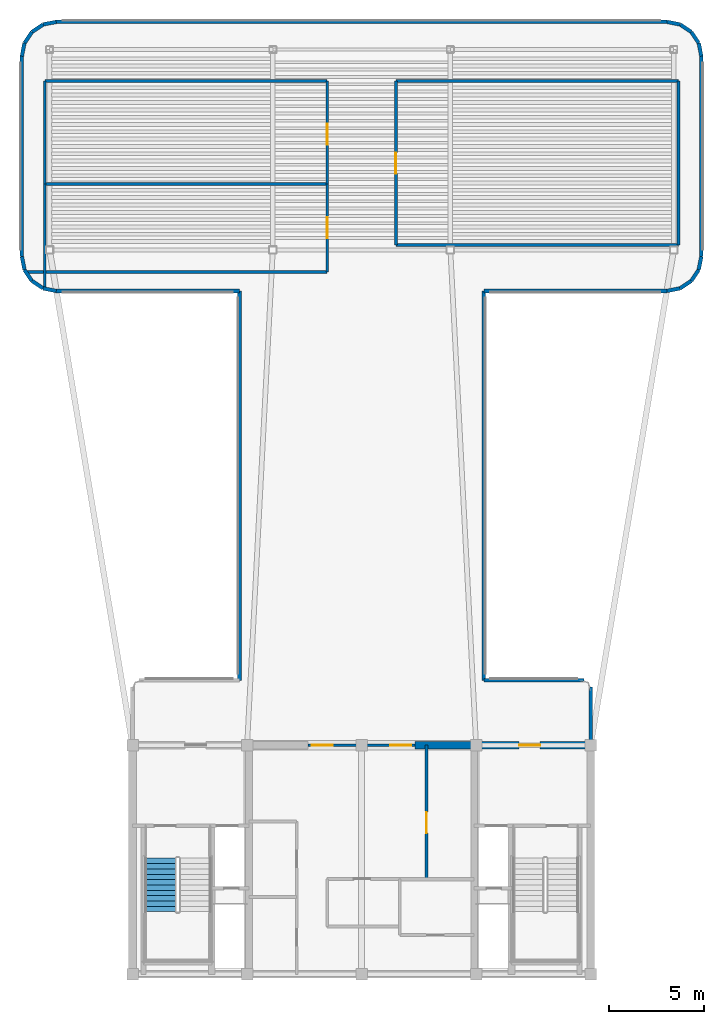
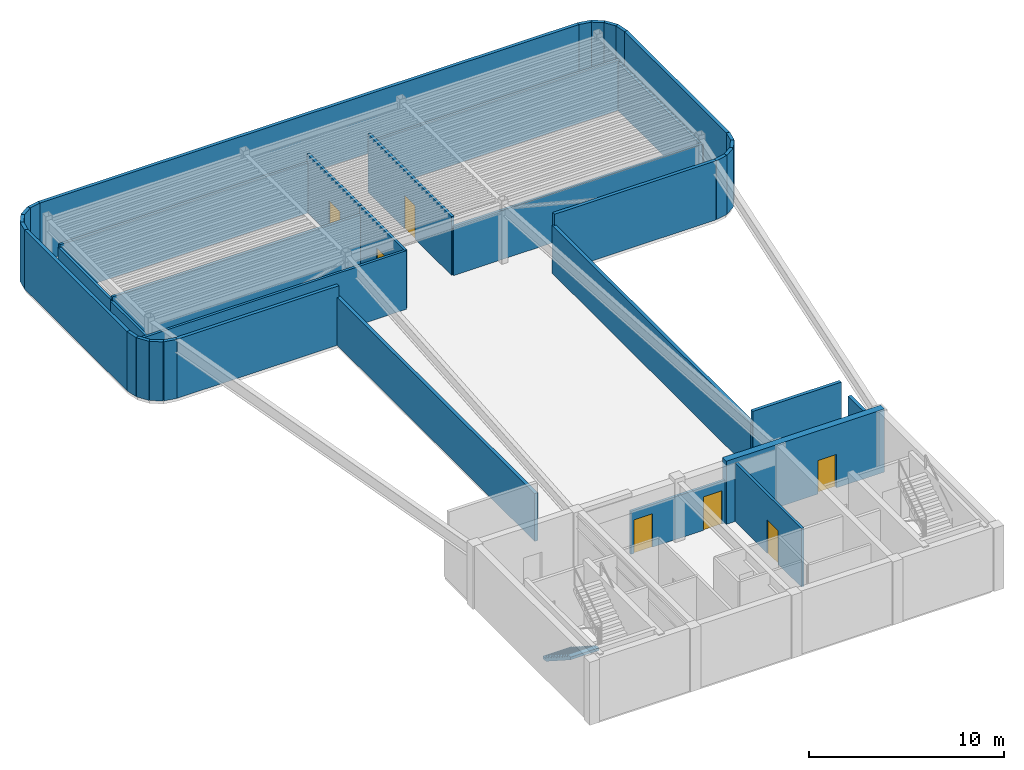
# One storey, part 3 of 6: 39 walls, 7 doors, 1 stair flight, 7 openings, 1 element without a shape of its own.
"""IFC4 building model written with IfcOpenShell, lengths in metres."""

from ifc_helpers import new_model, si_unit, direction, frame, frame_2d, origin, origin_2d, place, context, subcontext, project, spatial, polyline, rectangle, outline, extrude, source, transform, mapped, material, layer, layer_set, type_object, element, fill, aggregate, save


model = new_model("IFC4")

# Units and contexts
model_context = context("Model", 3, precision=1e-05, world=origin(), true_north=direction((0.0, 1.0)))
body_context = subcontext(model_context, "Body", "Model", "MODEL_VIEW")
ifc_project = project(units=[si_unit("LENGTHUNIT", "METRE"), si_unit("AREAUNIT", "SQUARE_METRE"), si_unit("VOLUMEUNIT", "CUBIC_METRE"), si_unit("PLANEANGLEUNIT", "RADIAN"), si_unit("MASSUNIT", "GRAM", prefix="KILO")], contexts=[model_context])

# Site, building, storey
site_placement = place(None, origin())
site = spatial("IfcSite", under=ifc_project, at=site_placement, CompositionType="ELEMENT")
building_placement = place(site_placement, origin())
building = spatial("IfcBuilding", under=site, at=building_placement, Name="Brelvock Crest Care Tower", CompositionType="ELEMENT")
storey_placement = place(building_placement, frame((0.0, 0.0, 311.760009765625)))
storey = spatial("IfcBuildingStorey", under=building, at=storey_placement, Name="L79", CompositionType="ELEMENT", Elevation=311.760009765625)

# Wall, opening, door
ifc_material_1 = material(Name="Concrete S65 (65 MPa)", Category="concrete")
ifc_layer_1 = layer(ifc_material_1, 0.39990234375, Name="WL-CS4")
ifc_layer_set_1 = layer_set([ifc_layer_1], Name="Concrete S65 (65 MPa)")
wall_type_1 = type_object("IfcWallType", Name="WL-CS4", PredefinedType="SHEAR", material=ifc_layer_set_1)
wall_1_placement = place(storey_placement, frame((38.800048828125, 18.0, 0.0), z_axis=(0.0, 0.0, 1.0), x_axis=(1.0, 0.0, 0.0)))
wall_1 = element("IfcWall", 1, at=wall_1_placement, inside=storey, type_object=wall_type_1, Name="L79 Core North-East Shear Wall", PredefinedType="SHEAR", context=body_context, shape_type="SweptSolid", body=[
    extrude(rectangle(XDim=9.39990234375, YDim=0.39990234375, at=frame_2d((4.699951171875, 0.0))), origin(), (0.0, 0.0, 1.0), 3.9599609375),
])
opening_1_placement = place(wall_1_placement, frame((5.449951171875, 0.0, 0.0)))
opening_1 = element("IfcOpeningElement", 2, at=opening_1_placement, cuts=wall_1, Name="Opening FD-1", PredefinedType="OPENING", context=body_context, shape_type="SweptSolid", body=[
    extrude(rectangle(XDim=1.10009765625, YDim=2.10009765625, at=origin_2d()), frame((0.550048828125, 0.2099609375, 1.050048828125), z_axis=(0.0, -1.0, 0.0), x_axis=(1.0, 0.0, 0.0)), (0.0, 0.0, 1.0), 0.419921875),
])
ifc_material_2 = material(Name="Steel Grade 350", Category="steel")
door_type_1 = type_object("IfcDoorType", Name="DR-FFL1", OperationType="NOTDEFINED", PredefinedType="DOOR", material=ifc_material_2)
shared_shape_1 = source(origin(), body_context, "Body", "SweptSolid", [
    extrude(rectangle(XDim=1.10009765625, YDim=2.10009765625, at=origin_2d()), frame((0.550048828125, 0.02490234375, 1.050048828125), z_axis=(0.0, -1.0, 0.0), x_axis=(1.0, 0.0, 0.0)), (0.0, 0.0, 1.0), 0.050048828125),
])
door_1_placement = place(opening_1_placement, origin())
door_1 = element("IfcDoor", 3, at=door_1_placement, inside=storey, type_object=door_type_1, Name="L79 Firefighting Lobby FFL-2 Exit Door", OperationType="SINGLE_SWING_RIGHT", OverallHeight=2.10009765625, OverallWidth=1.10009765625, PredefinedType="DOOR", context=body_context, shape_type="MappedRepresentation", body=[
    mapped(shared_shape_1, transform((0.0, 0.0, 0.0), x_axis=(1.0, 0.0, 0.0), y_axis=(0.0, 1.0, 0.0), z_axis=(0.0, 0.0, 1.0), scale=1.0)),
])
fill(opening_1, door_1)

# Walls
ifc_material_3 = material(Name="Precast concrete N40 (40 MPa)", Category="concrete")
ifc_layer_2 = layer(ifc_material_3, 0.195068359375, Name="WL-EX3")
ifc_layer_set_2 = layer_set([ifc_layer_2], Name="Precast concrete N40 (40 MPa)")
wall_type_2 = type_object("IfcWallType", Name="WL-EX3", PredefinedType="SOLIDWALL", material=ifc_layer_set_2)
wall_2_placement = place(storey_placement, frame((48.0, 21.050048828125, 0.0), z_axis=(0.0, 0.0, 1.0), x_axis=(0.0, -1.0, 0.0)))
element("IfcWall", 4, at=wall_2_placement, inside=storey, type_object=wall_type_2, Name="L79 Crown and Plant Cladding Wall 02", PredefinedType="SOLIDWALL", context=body_context, shape_type="SweptSolid", body=[
    extrude(rectangle(XDim=2.77001953125, YDim=0.195068359375, at=frame_2d((1.385009765625, 0.0))), origin(), (0.0, 0.0, 1.0), 2.89794921875),
])
wall_3_placement = place(storey_placement, frame((29.60009765625, 21.39990234375, 0.0), z_axis=(0.0, 0.0, 1.0), x_axis=(0.0, 1.0, 0.0)))
element("IfcWall", 5, at=wall_3_placement, inside=storey, type_object=wall_type_2, Name="L79 Crown and Plant Cladding Wall 12", PredefinedType="SOLIDWALL", context=body_context, shape_type="SweptSolid", body=[
    extrude(rectangle(XDim=20.400146484375, YDim=0.195068359375, at=frame_2d((10.2001953125, 0.0))), origin(), (0.0, 0.0, 1.0), 2.998046875),
])
wall_4_placement = place(storey_placement, frame((29.60009765625, 41.800048828125, 0.0), z_axis=(0.0, 0.0, 1.0), x_axis=(-1.0, 0.0, 0.0)))
element("IfcWall", 6, at=wall_4_placement, inside=storey, type_object=wall_type_2, Name="L79 Crown and Plant Cladding Wall 13", PredefinedType="SOLIDWALL", context=body_context, shape_type="SweptSolid", body=[
    extrude(rectangle(XDim=9.60009765625, YDim=0.195068359375, at=frame_2d((4.800048828125, 0.0))), origin(), (0.0, 0.0, 1.0), 3.7099609375),
])
wall_5_placement = place(storey_placement, frame((20.0, 41.800048828125, 0.0), z_axis=(0.0, 0.0, 1.0), x_axis=(-0.980794046625, 0.195046246068, 0.0)))
element("IfcWall", 7, at=wall_5_placement, inside=storey, type_object=wall_type_2, Name="L79 Crown and Plant Cladding Wall 14", PredefinedType="SOLIDWALL", context=body_context, shape_type="SweptSolid", body=[
    extrude(rectangle(XDim=0.7021484375, YDim=0.195068359375, at=frame_2d((0.35107421875, 0.0))), origin(), (0.0, 0.0, 1.0), 3.7099609375),
])
for number, where, z_axis, x_axis, name in (
    (8, (19.311279296875, 41.93701171875, 0.0), (0.0, 0.0, 1.0), (-0.831515102434, 0.555502146192, 0.0), "L79 Crown and Plant Cladding Wall 15"),
    (9, (18.727294921875, 42.3271484375, 0.0), (0.0, 0.0, 1.0), (-0.555742429414, 0.831354528555, 0.0), "L79 Crown and Plant Cladding Wall 16"),
    (10, (18.3369140625, 42.9111328125, 0.0), (0.0, 0.0, 1.0), (-0.194979757801, 0.980807266515, 0.0), "L79 Crown and Plant Cladding Wall 17"),
):
    element("IfcWall", number, at=place(storey_placement, frame(where, z_axis=z_axis, x_axis=x_axis)), inside=storey, type_object=wall_type_2, Name=name, PredefinedType="SOLIDWALL", context=body_context, shape_type="SweptSolid", body=[
        extrude(rectangle(XDim=0.702392578125, YDim=0.195068359375, at=frame_2d((0.35107421875, 0.0))), origin(), (0.0, 0.0, 1.0), 3.7099609375),
    ])
wall_6_placement = place(storey_placement, frame((18.199951171875, 43.60009765625, 0.0), z_axis=(0.0, 0.0, 1.0), x_axis=(0.0, 1.0, 0.0)))
element("IfcWall", 11, at=wall_6_placement, inside=storey, type_object=wall_type_2, Name="L79 Crown and Plant Cladding Wall 18", PredefinedType="SOLIDWALL", context=body_context, shape_type="SweptSolid", body=[
    extrude(rectangle(XDim=10.5, YDim=0.195068359375, at=frame_2d((5.25, 0.0))), origin(), (0.0, 0.0, 1.0), 3.7099609375),
])
wall_7_placement = place(storey_placement, frame((18.199951171875, 54.10009765625, 0.0), z_axis=(0.0, 0.0, 1.0), x_axis=(0.195046246068, 0.980794046625, 0.0)))
element("IfcWall", 12, at=wall_7_placement, inside=storey, type_object=wall_type_2, Name="L79 Crown and Plant Cladding Wall 19", PredefinedType="SOLIDWALL", context=body_context, shape_type="SweptSolid", body=[
    extrude(rectangle(XDim=0.7021484375, YDim=0.195068359375, at=frame_2d((0.35107421875, 0.0))), origin(), (0.0, 0.0, 1.0), 3.7099609375),
])
for number, where, z_axis, x_axis, name in (
    (13, (18.3369140625, 54.788818359375, 0.0), (0.0, 0.0, 1.0), (0.555742429414, 0.831354528555, 0.0), "L79 Crown and Plant Cladding Wall 20"),
    (14, (18.727294921875, 55.372802734375, 0.0), (0.0, 0.0, 1.0), (0.831515102434, 0.555502146192, 0.0), "L79 Crown and Plant Cladding Wall 21"),
):
    element("IfcWall", number, at=place(storey_placement, frame(where, z_axis=z_axis, x_axis=x_axis)), inside=storey, type_object=wall_type_2, Name=name, PredefinedType="SOLIDWALL", context=body_context, shape_type="SweptSolid", body=[
        extrude(rectangle(XDim=0.702392578125, YDim=0.195068359375, at=frame_2d((0.35107421875, 0.0))), origin(), (0.0, 0.0, 1.0), 3.7099609375),
    ])
wall_8_placement = place(storey_placement, frame((19.311279296875, 55.762939453125, 0.0), z_axis=(0.0, 0.0, 1.0), x_axis=(0.980794046625, 0.195046246068, 0.0)))
element("IfcWall", 15, at=wall_8_placement, inside=storey, type_object=wall_type_2, Name="L79 Crown and Plant Cladding Wall 22", PredefinedType="SOLIDWALL", context=body_context, shape_type="SweptSolid", body=[
    extrude(rectangle(XDim=0.7021484375, YDim=0.195068359375, at=frame_2d((0.35107421875, 0.0))), origin(), (0.0, 0.0, 1.0), 3.7099609375),
])
wall_9_placement = place(storey_placement, frame((20.0, 55.89990234375, 0.0), z_axis=(0.0, 0.0, 1.0), x_axis=(1.0, 0.0, 0.0)))
element("IfcWall", 16, at=wall_9_placement, inside=storey, type_object=wall_type_2, Name="L79 Crown and Plant Cladding Wall 23", PredefinedType="SOLIDWALL", context=body_context, shape_type="SweptSolid", body=[
    extrude(rectangle(XDim=32.0, YDim=0.195068359375, at=frame_2d((16.0, 0.0))), origin(), (0.0, 0.0, 1.0), 3.7099609375),
])
wall_10_placement = place(storey_placement, frame((52.0, 55.89990234375, 0.0), z_axis=(0.0, 0.0, 1.0), x_axis=(0.980794046625, -0.195046246068, 0.0)))
element("IfcWall", 17, at=wall_10_placement, inside=storey, type_object=wall_type_2, Name="L79 Crown and Plant Cladding Wall 24", PredefinedType="SOLIDWALL", context=body_context, shape_type="SweptSolid", body=[
    extrude(rectangle(XDim=0.7021484375, YDim=0.195068359375, at=frame_2d((0.35107421875, 0.0))), origin(), (0.0, 0.0, 1.0), 3.7099609375),
])
for number, where, z_axis, x_axis, name in (
    (18, (52.688720703125, 55.762939453125, 0.0), (0.0, 0.0, 1.0), (0.831515102434, -0.555502146192, 0.0), "L79 Crown and Plant Cladding Wall 25"),
    (19, (53.272705078125, 55.372802734375, 0.0), (0.0, 0.0, 1.0), (0.555742429414, -0.831354528555, 0.0), "L79 Crown and Plant Cladding Wall 26"),
):
    element("IfcWall", number, at=place(storey_placement, frame(where, z_axis=z_axis, x_axis=x_axis)), inside=storey, type_object=wall_type_2, Name=name, PredefinedType="SOLIDWALL", context=body_context, shape_type="SweptSolid", body=[
        extrude(rectangle(XDim=0.702392578125, YDim=0.195068359375, at=frame_2d((0.35107421875, 0.0))), origin(), (0.0, 0.0, 1.0), 3.7099609375),
    ])
wall_11_placement = place(storey_placement, frame((53.6630859375, 54.788818359375, 0.0), z_axis=(0.0, 0.0, 1.0), x_axis=(0.195046246068, -0.980794046625, 0.0)))
element("IfcWall", 20, at=wall_11_placement, inside=storey, type_object=wall_type_2, Name="L79 Crown and Plant Cladding Wall 27", PredefinedType="SOLIDWALL", context=body_context, shape_type="SweptSolid", body=[
    extrude(rectangle(XDim=0.7021484375, YDim=0.195068359375, at=frame_2d((0.35107421875, 0.0))), origin(), (0.0, 0.0, 1.0), 3.7099609375),
])
wall_12_placement = place(storey_placement, frame((53.800048828125, 54.10009765625, 0.0), z_axis=(0.0, 0.0, 1.0), x_axis=(0.0, -1.0, 0.0)))
element("IfcWall", 21, at=wall_12_placement, inside=storey, type_object=wall_type_2, Name="L79 Crown and Plant Cladding Wall 28", PredefinedType="SOLIDWALL", context=body_context, shape_type="SweptSolid", body=[
    extrude(rectangle(XDim=10.5, YDim=0.195068359375, at=frame_2d((5.25, 0.0))), origin(), (0.0, 0.0, 1.0), 3.7099609375),
])
for number, where, z_axis, x_axis, name in (
    (22, (53.800048828125, 43.60009765625, 0.0), (0.0, 0.0, 1.0), (-0.194979757801, -0.980807266515, 0.0), "L79 Crown and Plant Cladding Wall 29"),
    (23, (53.6630859375, 42.9111328125, 0.0), (0.0, 0.0, 1.0), (-0.555742429414, -0.831354528555, 0.0), "L79 Crown and Plant Cladding Wall 30"),
    (24, (53.272705078125, 42.3271484375, 0.0), (0.0, 0.0, 1.0), (-0.831515102434, -0.555502146192, 0.0), "L79 Crown and Plant Cladding Wall 31"),
):
    element("IfcWall", number, at=place(storey_placement, frame(where, z_axis=z_axis, x_axis=x_axis)), inside=storey, type_object=wall_type_2, Name=name, PredefinedType="SOLIDWALL", context=body_context, shape_type="SweptSolid", body=[
        extrude(rectangle(XDim=0.702392578125, YDim=0.195068359375, at=frame_2d((0.35107421875, 0.0))), origin(), (0.0, 0.0, 1.0), 3.7099609375),
    ])
wall_13_placement = place(storey_placement, frame((52.688720703125, 41.93701171875, 0.0), z_axis=(0.0, 0.0, 1.0), x_axis=(-0.980794046625, -0.195046246068, 0.0)))
element("IfcWall", 25, at=wall_13_placement, inside=storey, type_object=wall_type_2, Name="L79 Crown and Plant Cladding Wall 32", PredefinedType="SOLIDWALL", context=body_context, shape_type="SweptSolid", body=[
    extrude(rectangle(XDim=0.7021484375, YDim=0.195068359375, at=frame_2d((0.35107421875, 0.0))), origin(), (0.0, 0.0, 1.0), 3.7099609375),
])
wall_14_placement = place(storey_placement, frame((52.0, 41.800048828125, 0.0), z_axis=(0.0, 0.0, 1.0), x_axis=(-1.0, 0.0, 0.0)))
element("IfcWall", 26, at=wall_14_placement, inside=storey, type_object=wall_type_2, Name="L79 Crown and Plant Cladding Wall 33", PredefinedType="SOLIDWALL", context=body_context, shape_type="SweptSolid", body=[
    extrude(rectangle(XDim=9.60009765625, YDim=0.195068359375, at=frame_2d((4.800048828125, 0.0))), origin(), (0.0, 0.0, 1.0), 3.7099609375),
])
wall_15_placement = place(storey_placement, frame((42.39990234375, 41.800048828125, 0.0), z_axis=(0.0, 0.0, 1.0), x_axis=(0.0, -1.0, 0.0)))
element("IfcWall", 27, at=wall_15_placement, inside=storey, type_object=wall_type_2, Name="L79 Crown and Plant Cladding Wall 34", PredefinedType="SOLIDWALL", context=body_context, shape_type="SweptSolid", body=[
    extrude(rectangle(XDim=20.400146484375, YDim=0.195068359375, at=frame_2d((10.2001953125, 0.0))), origin(), (0.0, 0.0, 1.0), 2.998046875),
])
wall_16_placement = place(storey_placement, frame((42.39990234375, 21.39990234375, 0.0), z_axis=(0.0, 0.0, 1.0), x_axis=(1.0, 0.0, 0.0)))
element("IfcWall", 28, at=wall_16_placement, inside=storey, type_object=wall_type_2, Name="L79 Crown and Plant Cladding Wall 35", PredefinedType="SOLIDWALL", context=body_context, shape_type="SweptSolid", body=[
    extrude(rectangle(XDim=5.25, YDim=0.195068359375, at=frame_2d((2.625, 0.0))), origin(), (0.0, 0.0, 1.0), 3.7099609375),
])

# Wall, opening, door
ifc_material_4 = material(Name="Masonry Blockwork Acoustic Partition", Category="masonry")
ifc_layer_3 = layer(ifc_material_4, 0.14990234375, Name="WL-INT1")
ifc_layer_set_3 = layer_set([ifc_layer_3], Name="Masonry Blockwork Acoustic Partition")
wall_type_3 = type_object("IfcWallType", Name="WL-INT1", PredefinedType="PARTITIONING", material=ifc_layer_set_3)
wall_17_placement = place(storey_placement, frame((39.39990234375, 11.0, 0.0), z_axis=(0.0, 0.0, 1.0), x_axis=(0.0, 1.0, 0.0)))
wall_17 = element("IfcWall", 29, at=wall_17_placement, inside=storey, type_object=wall_type_3, Name="L79 Interior Wall WL-CRCH-W-L79", PredefinedType="PARTITIONING", context=body_context, shape_type="SweptSolid", body=[
    extrude(rectangle(XDim=7.0, YDim=0.14990234375, at=frame_2d((3.5, 0.0))), origin(), (0.0, 0.0, 1.0), 3.679931640625),
])
opening_2_placement = place(wall_17_placement, frame((2.39990234375, 0.0, 0.0)))
opening_2 = element("IfcOpeningElement", 30, at=opening_2_placement, cuts=wall_17, Name="Opening PD-1", PredefinedType="OPENING", context=body_context, shape_type="SweptSolid", body=[
    extrude(rectangle(XDim=1.10009765625, YDim=2.10009765625, at=origin_2d()), frame((0.550048828125, 0.0849609375, 1.050048828125), z_axis=(0.0, -1.0, 0.0), x_axis=(1.0, 0.0, 0.0)), (0.0, 0.0, 1.0), 0.169921875),
])
door_type_2 = type_object("IfcDoorType", Name="DR-PLT1", OperationType="NOTDEFINED", PredefinedType="DOOR", material=ifc_material_2)
shared_shape_2 = source(origin(), body_context, "Body", "SweptSolid", [
    extrude(rectangle(XDim=1.10009765625, YDim=2.10009765625, at=origin_2d()), frame((0.550048828125, 0.02490234375, 1.050048828125), z_axis=(0.0, -1.0, 0.0), x_axis=(1.0, 0.0, 0.0)), (0.0, 0.0, 1.0), 0.050048828125),
])
door_2_placement = place(opening_2_placement, origin())
door_2 = element("IfcDoor", 31, at=door_2_placement, inside=storey, type_object=door_type_2, Name="DR-CRCH-L79", OperationType="SINGLE_SWING_RIGHT", OverallHeight=2.10009765625, OverallWidth=1.10009765625, PredefinedType="DOOR", context=body_context, shape_type="MappedRepresentation", body=[
    mapped(shared_shape_2, transform((0.0, 0.0, 0.0), x_axis=(1.0, 0.0, 0.0), y_axis=(0.0, 1.0, 0.0), z_axis=(0.0, 0.0, 1.0), scale=1.0)),
])
fill(opening_2, door_2)

# Wall, openings, doors
wall_18_placement = place(storey_placement, frame((33.199951171875, 18.0, 0.0), z_axis=(0.0, 0.0, 1.0), x_axis=(1.0, 0.0, 0.0)))
wall_18 = element("IfcWall", 32, at=wall_18_placement, inside=storey, type_object=wall_type_3, Name="L79 Interior Wall WL-CORE-NPORT-L79", PredefinedType="PARTITIONING", context=body_context, shape_type="SweptSolid", body=[
    extrude(rectangle(XDim=5.60009765625, YDim=0.14990234375, at=frame_2d((2.800048828125, 0.0))), origin(), (0.0, 0.0, 1.0), 2.695068359375),
])
opening_3_placement = place(wall_18_placement, frame((0.18994140625, 0.0, 0.0)))
opening_3 = element("IfcOpeningElement", 33, at=opening_3_placement, cuts=wall_18, Name="Opening FD-1", PredefinedType="OPENING", context=body_context, shape_type="SweptSolid", body=[
    extrude(rectangle(XDim=1.10009765625, YDim=2.10009765625, at=origin_2d()), frame((0.550048828125, 0.0849609375, 1.050048828125), z_axis=(0.0, -1.0, 0.0), x_axis=(1.0, 0.0, 0.0)), (0.0, 0.0, 1.0), 0.169921875),
])
opening_4_placement = place(wall_18_placement, frame((4.31005859375, 0.0, 0.0)))
opening_4 = element("IfcOpeningElement", 34, at=opening_4_placement, cuts=wall_18, Name="Opening FD-1", PredefinedType="OPENING", context=body_context, shape_type="SweptSolid", body=[
    extrude(rectangle(XDim=1.10009765625, YDim=2.10009765625, at=origin_2d()), frame((0.550048828125, 0.0849609375, 1.050048828125), z_axis=(0.0, -1.0, 0.0), x_axis=(1.0, 0.0, 0.0)), (0.0, 0.0, 1.0), 0.169921875),
])
door_3_placement = place(opening_3_placement, origin())
door_3 = element("IfcDoor", 35, at=door_3_placement, inside=storey, type_object=door_type_1, Name="L79 Lift Lobby North Smoke Door West", OperationType="SINGLE_SWING_LEFT", OverallHeight=2.10009765625, OverallWidth=1.10009765625, PredefinedType="DOOR", context=body_context, shape_type="MappedRepresentation", body=[
    mapped(shared_shape_1, transform((0.0, 0.0, 0.0), x_axis=(1.0, 0.0, 0.0), y_axis=(0.0, 1.0, 0.0), z_axis=(0.0, 0.0, 1.0), scale=1.0)),
])
fill(opening_3, door_3)
door_4_placement = place(opening_4_placement, origin())
door_4 = element("IfcDoor", 36, at=door_4_placement, inside=storey, type_object=door_type_1, Name="L79 Lift Lobby North Smoke Door East", OperationType="SINGLE_SWING_RIGHT", OverallHeight=2.10009765625, OverallWidth=1.10009765625, PredefinedType="DOOR", context=body_context, shape_type="MappedRepresentation", body=[
    mapped(shared_shape_1, transform((0.0, 0.0, 0.0), x_axis=(1.0, 0.0, 0.0), y_axis=(0.0, 1.0, 0.0), z_axis=(0.0, 0.0, 1.0), scale=1.0)),
])
fill(opening_4, door_4)

# Walls
wall_19_placement = place(storey_placement, frame((18.507568359375, 42.800048828125, 0.0), z_axis=(0.0, 0.0, 1.0), x_axis=(1.0, 0.0, 0.0)))
element("IfcWall", 37, at=wall_19_placement, inside=storey, type_object=wall_type_3, Name="L79 Interior Wall WL-BX-L79-CRMS-S", PredefinedType="PARTITIONING", context=body_context, shape_type="SweptSolid", body=[
    extrude(rectangle(XDim=15.6923828125, YDim=0.14990234375, at=frame_2d((7.84619140625, 0.0))), origin(), (0.0, 0.0, 1.0), 3.679931640625),
])
wall_20_placement = place(storey_placement, frame((37.800048828125, 44.199951171875, 0.0), z_axis=(0.0, 0.0, 1.0), x_axis=(1.0, 0.0, 0.0)))
element("IfcWall", 38, at=wall_20_placement, inside=storey, type_object=wall_type_3, Name="L79 Interior Wall WL-BX-L79-CRME-S", PredefinedType="PARTITIONING", context=body_context, shape_type="SweptSolid", body=[
    extrude(rectangle(XDim=14.800048828125, YDim=0.14990234375, at=frame_2d((7.39990234375, 0.0))), origin(), (0.0, 0.0, 1.0), 3.0830078125),
])
for number, where, z_axis, x_axis, name in (
    (39, (19.39990234375, 47.39990234375, 0.0), (0.0, 0.0, 1.0), (1.0, 0.0, 0.0), "L79 Interior Wall WL-BX-L79-CRMS-N"),
    (40, (19.39990234375, 52.800048828125, 0.0), (0.0, 0.0, 1.0), (1.0, 0.0, 0.0), "L79 Interior Wall WL-BX-L79-CRMW-N"),
    (41, (37.800048828125, 52.800048828125, 0.0), (0.0, 0.0, 1.0), (1.0, 0.0, 0.0), "L79 Interior Wall WL-BX-L79-CRME-N"),
):
    element("IfcWall", number, at=place(storey_placement, frame(where, z_axis=z_axis, x_axis=x_axis)), inside=storey, type_object=wall_type_3, Name=name, PredefinedType="PARTITIONING", context=body_context, shape_type="SweptSolid", body=[
        extrude(rectangle(XDim=14.800048828125, YDim=0.14990234375, at=frame_2d((7.39990234375, 0.0))), origin(), (0.0, 0.0, 1.0), 3.162109375),
    ])
wall_21_placement = place(storey_placement, frame((19.39990234375, 42.0009765625, 0.0), z_axis=(0.0, 0.0, 1.0), x_axis=(0.0, 1.0, 0.0)))
element("IfcWall", 42, at=wall_21_placement, inside=storey, type_object=wall_type_3, Name="L79 Interior Wall WL-BX-L79-CRMS-W", PredefinedType="PARTITIONING", context=body_context, shape_type="SweptSolid", body=[
    extrude(rectangle(XDim=5.39892578125, YDim=0.14990234375, at=frame_2d((2.699462890625, 0.0))), origin(), (0.0, 0.0, 1.0), 2.89501953125),
])
wall_22_placement = place(storey_placement, frame((19.39990234375, 47.39990234375, 0.0), z_axis=(0.0, 0.0, 1.0), x_axis=(0.0, 1.0, 0.0)))
element("IfcWall", 43, at=wall_22_placement, inside=storey, type_object=wall_type_3, Name="L79 Interior Wall WL-BX-L79-CRMW-W", PredefinedType="PARTITIONING", context=body_context, shape_type="SweptSolid", body=[
    extrude(rectangle(XDim=5.400146484375, YDim=0.14990234375, at=frame_2d((2.7001953125, 0.0))), origin(), (0.0, 0.0, 1.0), 2.994873046875),
])

# Wall, opening, door
wall_23_placement = place(storey_placement, frame((34.199951171875, 42.800048828125, 0.0), z_axis=(0.0, 0.0, 1.0), x_axis=(0.0, 1.0, 0.0)))
wall_23 = element("IfcWall", 44, at=wall_23_placement, inside=storey, type_object=wall_type_3, Name="L79 Interior Wall WL-RM-L79-CRMS", PredefinedType="PARTITIONING", context=body_context, shape_type="SweptSolid", body=[
    extrude(rectangle(XDim=4.599853515625, YDim=0.14990234375, at=frame_2d((2.2998046875, 0.0))), origin(), (0.0, 0.0, 1.0), 3.679931640625),
])
opening_5_placement = place(wall_23_placement, frame((1.75, 0.0, 0.0)))
opening_5 = element("IfcOpeningElement", 45, at=opening_5_placement, cuts=wall_23, Name="Opening PD-1", PredefinedType="OPENING", context=body_context, shape_type="SweptSolid", body=[
    extrude(rectangle(XDim=1.10009765625, YDim=2.10009765625, at=origin_2d()), frame((0.550048828125, 0.0849609375, 1.050048828125), z_axis=(0.0, -1.0, 0.0), x_axis=(1.0, 0.0, 0.0)), (0.0, 0.0, 1.0), 0.169921875),
])
door_5_placement = place(opening_5_placement, origin())
door_5 = element("IfcDoor", 46, at=door_5_placement, inside=storey, type_object=door_type_2, Name="L79 Tuned Mass Damper Control Plant Door CRMS", OperationType="SINGLE_SWING_LEFT", OverallHeight=2.10009765625, OverallWidth=1.10009765625, PredefinedType="DOOR", context=body_context, shape_type="MappedRepresentation", body=[
    mapped(shared_shape_2, transform((0.0, 0.0, 0.0), x_axis=(1.0, 0.0, 0.0), y_axis=(0.0, 1.0, 0.0), z_axis=(0.0, 0.0, 1.0), scale=1.0)),
])
fill(opening_5, door_5)

wall_24_placement = place(storey_placement, frame((34.199951171875, 47.39990234375, 0.0), z_axis=(0.0, 0.0, 1.0), x_axis=(0.0, 1.0, 0.0)))
wall_24 = element("IfcWall", 47, at=wall_24_placement, inside=storey, type_object=wall_type_3, Name="L79 Interior Wall WL-RM-L79-CRMW", PredefinedType="PARTITIONING", context=body_context, shape_type="SweptSolid", body=[
    extrude(rectangle(XDim=5.400146484375, YDim=0.14990234375, at=frame_2d((2.7001953125, 0.0))), origin(), (0.0, 0.0, 1.0), 3.679931640625),
])
opening_6_placement = place(wall_24_placement, frame((2.050048828125, 0.0, 0.0)))
opening_6 = element("IfcOpeningElement", 48, at=opening_6_placement, cuts=wall_24, Name="Opening PD-1", PredefinedType="OPENING", context=body_context, shape_type="SweptSolid", body=[
    extrude(rectangle(XDim=1.10009765625, YDim=2.10009765625, at=origin_2d()), frame((0.550048828125, 0.0849609375, 1.050048828125), z_axis=(0.0, -1.0, 0.0), x_axis=(1.0, 0.0, 0.0)), (0.0, 0.0, 1.0), 0.169921875),
])
door_6_placement = place(opening_6_placement, origin())
door_6 = element("IfcDoor", 49, at=door_6_placement, inside=storey, type_object=door_type_2, Name="L79 Tuned Mass Damper Hydraulic Plant Door CRMW", OperationType="SINGLE_SWING_LEFT", OverallHeight=2.10009765625, OverallWidth=1.10009765625, PredefinedType="DOOR", context=body_context, shape_type="MappedRepresentation", body=[
    mapped(shared_shape_2, transform((0.0, 0.0, 0.0), x_axis=(1.0, 0.0, 0.0), y_axis=(0.0, 1.0, 0.0), z_axis=(0.0, 0.0, 1.0), scale=1.0)),
])
fill(opening_6, door_6)

wall_25_placement = place(storey_placement, frame((37.800048828125, 44.199951171875, 0.0), z_axis=(0.0, 0.0, 1.0), x_axis=(0.0, 1.0, 0.0)))
wall_25 = element("IfcWall", 50, at=wall_25_placement, inside=storey, type_object=wall_type_3, Name="L79 Interior Wall WL-RM-L79-CRME", PredefinedType="PARTITIONING", context=body_context, shape_type="SweptSolid", body=[
    extrude(rectangle(XDim=8.60009765625, YDim=0.14990234375, at=frame_2d((4.300048828125, 0.0))), origin(), (0.0, 0.0, 1.0), 3.679931640625),
])
opening_7_placement = place(wall_25_placement, frame((3.75, 0.0, 0.0)))
opening_7 = element("IfcOpeningElement", 51, at=opening_7_placement, cuts=wall_25, Name="Opening PD-1", PredefinedType="OPENING", context=body_context, shape_type="SweptSolid", body=[
    extrude(rectangle(XDim=1.10009765625, YDim=2.10009765625, at=origin_2d()), frame((0.550048828125, 0.0849609375, 1.050048828125), z_axis=(0.0, -1.0, 0.0), x_axis=(1.0, 0.0, 0.0)), (0.0, 0.0, 1.0), 0.169921875),
])
door_7_placement = place(opening_7_placement, origin())
door_7 = element("IfcDoor", 52, at=door_7_placement, inside=storey, type_object=door_type_2, Name="L79 Emergency Generator Mechanical Plant Door CRME", OperationType="SINGLE_SWING_LEFT", OverallHeight=2.10009765625, OverallWidth=1.10009765625, PredefinedType="DOOR", context=body_context, shape_type="MappedRepresentation", body=[
    mapped(shared_shape_2, transform((0.0, 0.0, 0.0), x_axis=(1.0, 0.0, 0.0), y_axis=(0.0, 1.0, 0.0), z_axis=(0.0, 0.0, 1.0), scale=1.0)),
])
fill(opening_7, door_7)

# Wall
wall_26_placement = place(storey_placement, frame((52.60009765625, 44.199951171875, 0.0), z_axis=(0.0, 0.0, 1.0), x_axis=(0.0, 1.0, 0.0)))
element("IfcWall", 53, at=wall_26_placement, inside=storey, type_object=wall_type_3, Name="L79 Interior Wall WL-BX-L79-CRME-E", PredefinedType="PARTITIONING", context=body_context, shape_type="SweptSolid", body=[
    extrude(rectangle(XDim=8.60009765625, YDim=0.14990234375, at=frame_2d((4.300048828125, 0.0))), origin(), (0.0, 0.0, 1.0), 2.994873046875),
])

# Stair, stair flight
ifc_material_5 = material(Name="Concrete N40 (40 MPa)", Category="concrete")
stair_type = type_object("IfcStairType", Name="ST-CORE1", PredefinedType="HALF_TURN_STAIR", material=ifc_material_5)
stair_placement = place(storey_placement, origin())
stair = element("IfcStair", 54, at=stair_placement, inside=storey, type_object=stair_type, Name="L79 Fire-Isolated Core Stair ST-1", PredefinedType="HALF_TURN_STAIR")
stair_flight_type = type_object("IfcStairFlightType", Name="STF-1", PredefinedType="STRAIGHT", material=ifc_material_5)
stair_flight_placement = place(storey_placement, frame((25.469970703125, 12.080078125, 0.0), z_axis=(0.0, 0.0, 1.0), x_axis=(0.0, -1.0, 0.0)))
stair_flight = element("IfcStairFlight", 55, at=stair_flight_placement, type_object=stair_flight_type, Name="ST-1 flight 1", NumberOfRisers=11, NumberOfTreads=10, PredefinedType="STRAIGHT", RiserHeight=0.18, TreadLength=0.28, context=body_context, shape_type="SweptSolid", body=[
    extrude(outline(polyline([(-0.00390625, -0.014892578125), (-0.00390625, -0.008056640625), (-0.00390625, -0.0009765625), (-0.00390625, 0.005859375), (-0.00390625, 0.012939453125), (-0.00390625, 0.019775390625), (-0.00390625, 0.02685546875), (-0.00390625, 0.03369140625), (-0.00390625, 0.040771484375), (-0.00390625, 0.047607421875), (-0.00390625, 0.0546875), (-0.00390625, 0.0615234375), (-0.00390625, 0.068603515625), (-0.00390625, 0.075439453125), (-0.00390625, 0.08251953125), (-0.00390625, 0.08935546875), (-0.00390625, 0.096435546875), (-0.00390625, 0.103271484375), (-0.00390625, 0.1103515625), (-0.00390625, 0.117431640625), (-0.00390625, 0.124267578125), (-0.00390625, 0.13134765625), (-0.00390625, 0.13818359375), (-0.00390625, 0.145263671875), (-0.00390625, 0.152099609375), (-0.00390625, 0.1591796875), (-0.00390625, 0.166015625), (-0.00390625, 0.173095703125), (-0.00390625, 0.179931640625), (0.0, 0.179931640625), (0.280029296875, 0.179931640625), (0.280029296875, 0.360107421875), (0.56005859375, 0.360107421875), (0.56005859375, 0.5400390625), (0.840087890625, 0.5400390625), (0.840087890625, 0.719970703125), (1.1201171875, 0.719970703125), (1.1201171875, 0.89990234375), (1.39990234375, 0.89990234375), (1.39990234375, 1.080078125), (1.679931640625, 1.080078125), (1.679931640625, 1.260009765625), (1.9599609375, 1.260009765625), (1.9599609375, 1.43994140625), (2.239990234375, 1.43994140625), (2.239990234375, 1.6201171875), (2.52001953125, 1.6201171875), (2.52001953125, 1.800048828125), (2.800048828125, 1.800048828125), (2.803955078125, 1.800048828125), (2.8037109375, 1.79931640625), (2.803955078125, 1.798828125), (2.8037109375, 1.798095703125), (2.803955078125, 1.79736328125), (2.8037109375, 1.796875), (2.803955078125, 1.796142578125), (2.8037109375, 1.79541015625), (2.803955078125, 1.794921875), (2.8037109375, 1.794189453125), (2.803955078125, 1.79345703125), (2.8037109375, 1.79296875), (2.803955078125, 1.792236328125), (2.8037109375, 1.791748046875), (2.803955078125, 1.791015625), (2.8037109375, 1.790283203125), (2.803955078125, 1.789794921875), (2.8037109375, 1.7890625), (2.803955078125, 1.788330078125), (2.8037109375, 1.787841796875), (2.803955078125, 1.787109375), (2.8037109375, 1.78662109375), (2.803955078125, 1.785888671875), (2.8037109375, 1.78515625), (2.803955078125, 1.78466796875), (2.8037109375, 1.783935546875), (2.803955078125, 1.783203125), (2.8037109375, 1.78271484375), (2.803955078125, 1.781982421875), (2.800048828125, 1.621826171875), (0.277099609375, 0.0), (0.0, 0.0), (0.0, -0.014892578125), (-0.00390625, -0.014892578125)])), frame((0.0, 0.83984375, 0.0), z_axis=(0.0, -1.0, 0.0), x_axis=(1.0, 0.0, 0.0)), (0.0, 0.0, 1.0), 1.679931640625),
])
aggregate(stair, [stair_flight])

save(model, "model.ifc")
